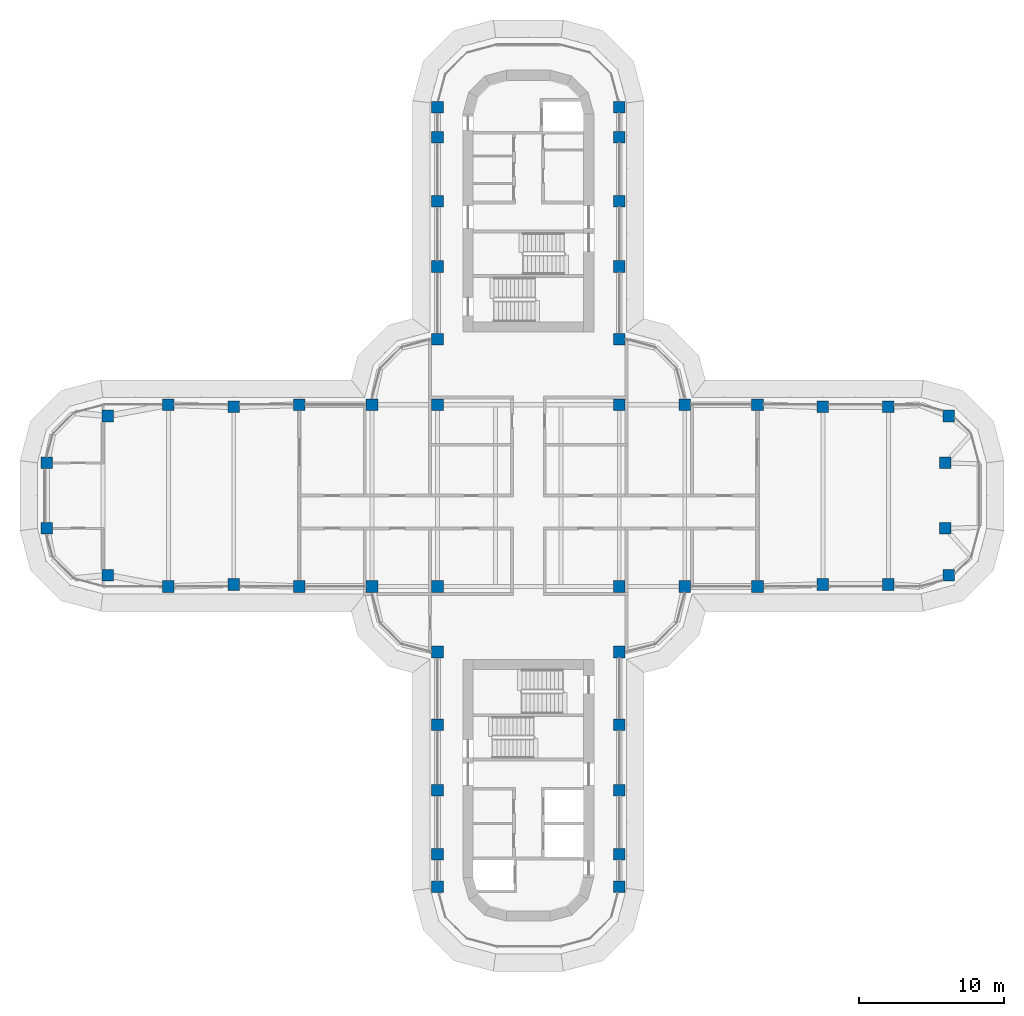
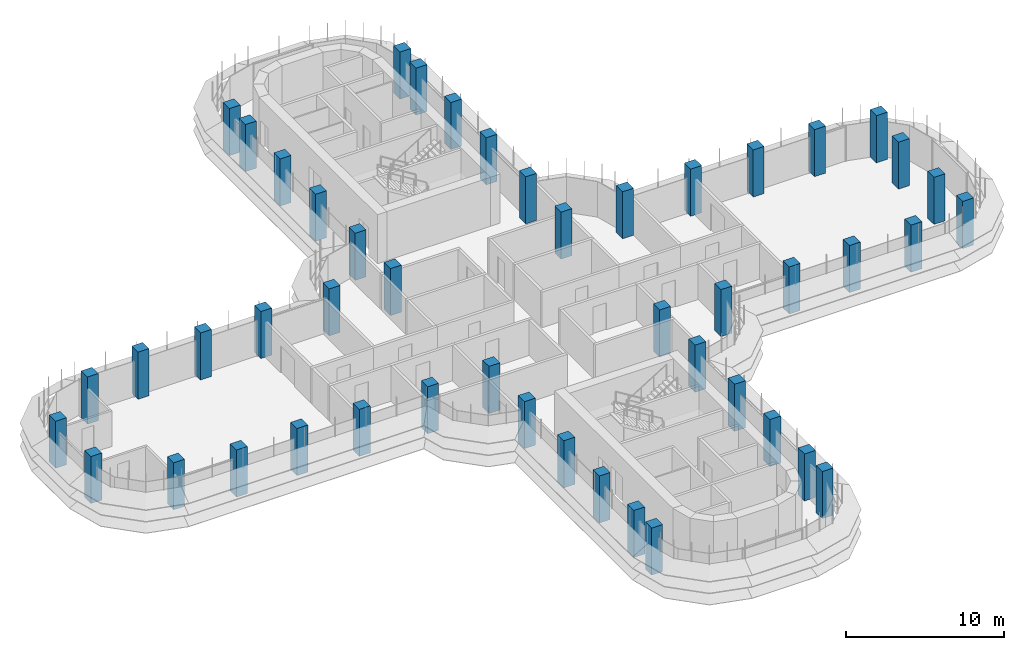
# One storey, part 1 of 19: 48 columns.
"""IFC4 building model written with IfcOpenShell, lengths in metres."""

from ifc_helpers import new_model, si_unit, direction, frame, origin, origin_2d, place, context, subcontext, project, spatial, rectangle, extrude, material, material_profile, profile_set, type_object, element, save


model = new_model("IFC4")

# Units and contexts
model_context = context("Model", 3, precision=1e-05, world=origin(), true_north=direction((0.0, 1.0)))
body_context = subcontext(model_context, "Body", "Model", "MODEL_VIEW")
ifc_project = project(units=[si_unit("LENGTHUNIT", "METRE"), si_unit("AREAUNIT", "SQUARE_METRE"), si_unit("VOLUMEUNIT", "CUBIC_METRE"), si_unit("PLANEANGLEUNIT", "RADIAN"), si_unit("MASSUNIT", "GRAM", prefix="KILO")], contexts=[model_context])

# Site, building, storey
site_placement = place(None, origin())
site = spatial("IfcSite", under=ifc_project, at=site_placement, CompositionType="ELEMENT")
building_placement = place(site_placement, origin())
building = spatial("IfcBuilding", under=site, at=building_placement, Name="Zarbagh Exchange Tower", CompositionType="ELEMENT")
storey_placement = place(building_placement, frame((0.0, 0.0, 167.60009765625)))
storey = spatial("IfcBuildingStorey", under=building, at=storey_placement, Name="L40", CompositionType="ELEMENT", Elevation=167.60009765625)

# Columns
ifc_material = material(Name="Concrete C50/60", Category="concrete")
ifc_material_profile = material_profile(ifc_material, rectangle(XDim=0.800048828125, YDim=0.800048828125, at=origin_2d()), Name="RC column 800 x 800 C50/60")
ifc_profile_set = profile_set([ifc_material_profile], Name="Concrete C50/60")
column_type = type_object("IfcColumnType", Name="RC column 800 x 800 C50/60", PredefinedType="COLUMN", material=ifc_profile_set)
for number, where, z_axis, x_axis, name in (
    (1, (-33.110107421875, -2.25, 0.0), (0.0, 0.0, 1.0), (1.0, 0.0, 0.0), "C4 10/S"),
    (2, (-33.110107421875, 2.25, 0.0), (0.0, 0.0, 1.0), (1.0, 0.0, 0.0), "C4 10/T"),
    (3, (-28.907958984375, -5.47509765625, 0.0), (0.0, 0.0, 1.0), (1.0, 0.0, 0.0), "C4 11/R"),
    (4, (-28.907958984375, 5.47509765625, 0.0), (0.0, 0.0, 1.0), (1.0, 0.0, 0.0), "C4 11/U"),
    (5, (-24.75, -6.25, 0.0), (0.0, 0.0, 1.0), (1.0, 0.0, 0.0), "C4 12/R"),
    (6, (-24.75, 6.25, 0.0), (0.0, 0.0, 1.0), (1.0, 0.0, 0.0), "C4 12/U"),
    (7, (-20.25, -6.110107421875, 0.0), (0.0, 0.0, 1.0), (1.0, 0.0, 0.0), "C4 13/R"),
    (8, (-20.25, 6.110107421875, 0.0), (0.0, 0.0, 1.0), (1.0, 0.0, 0.0), "C4 13/U"),
    (9, (-15.75, -6.25, 0.0), (0.0, 0.0, 1.0), (1.0, 0.0, 0.0), "C4 14/R"),
    (10, (-15.75, 6.25, 0.0), (0.0, 0.0, 1.0), (1.0, 0.0, 0.0), "C4 14/U"),
    (11, (-10.75, -6.25, 0.0), (0.0, 0.0, 1.0), (1.0, 0.0, 0.0), "C4 15/R"),
    (12, (-10.75, 6.25, 0.0), (0.0, 0.0, 1.0), (1.0, 0.0, 0.0), "C4 15/U"),
    (13, (-6.25, -26.89990234375, 0.0), (0.0, 0.0, 1.0), (1.0, 0.0, 0.0), "C4 16/L"),
    (14, (-6.25, -24.64990234375, 0.0), (0.0, 0.0, 1.0), (1.0, 0.0, 0.0), "C4 16/M"),
    (15, (-6.25, -20.25, 0.0), (0.0, 0.0, 1.0), (1.0, 0.0, 0.0), "C4 16/N"),
    (16, (-6.25, -15.75, 0.0), (0.0, 0.0, 1.0), (1.0, 0.0, 0.0), "C4 16/P"),
    (17, (-6.25, -10.75, 0.0), (0.0, 0.0, 1.0), (1.0, 0.0, 0.0), "C4 16/Q"),
    (18, (-6.25, -6.25, 0.0), (0.0, 0.0, 1.0), (1.0, 0.0, 0.0), "C4 16/R"),
    (19, (-6.25, 6.25, 0.0), (0.0, 0.0, 1.0), (1.0, 0.0, 0.0), "C4 16/U"),
    (20, (-6.25, 10.75, 0.0), (0.0, 0.0, 1.0), (1.0, 0.0, 0.0), "C4 16/V"),
    (21, (-6.25, 15.75, 0.0), (0.0, 0.0, 1.0), (1.0, 0.0, 0.0), "C4 16/W"),
    (22, (-6.25, 20.25, 0.0), (0.0, 0.0, 1.0), (1.0, 0.0, 0.0), "C4 16/X"),
    (23, (-6.25, 24.64990234375, 0.0), (0.0, 0.0, 1.0), (1.0, 0.0, 0.0), "C4 16/Y"),
    (24, (-6.25, 26.699951171875, 0.0), (0.0, 0.0, 1.0), (1.0, 0.0, 0.0), "C4 16/Z"),
    (25, (6.25, -26.89990234375, 0.0), (0.0, 0.0, 1.0), (1.0, 0.0, 0.0), "C4 19/L"),
    (26, (6.25, -24.64990234375, 0.0), (0.0, 0.0, 1.0), (1.0, 0.0, 0.0), "C4 19/M"),
    (27, (6.25, -20.25, 0.0), (0.0, 0.0, 1.0), (1.0, 0.0, 0.0), "C4 19/N"),
    (28, (6.25, -15.75, 0.0), (0.0, 0.0, 1.0), (1.0, 0.0, 0.0), "C4 19/P"),
    (29, (6.25, -10.75, 0.0), (0.0, 0.0, 1.0), (1.0, 0.0, 0.0), "C4 19/Q"),
    (30, (6.25, -6.25, 0.0), (0.0, 0.0, 1.0), (1.0, 0.0, 0.0), "C4 19/R"),
    (31, (6.25, 6.25, 0.0), (0.0, 0.0, 1.0), (1.0, 0.0, 0.0), "C4 19/U"),
    (32, (6.25, 10.75, 0.0), (0.0, 0.0, 1.0), (1.0, 0.0, 0.0), "C4 19/V"),
    (33, (6.25, 15.75, 0.0), (0.0, 0.0, 1.0), (1.0, 0.0, 0.0), "C4 19/W"),
    (34, (6.25, 20.25, 0.0), (0.0, 0.0, 1.0), (1.0, 0.0, 0.0), "C4 19/X"),
    (35, (6.25, 24.64990234375, 0.0), (0.0, 0.0, 1.0), (1.0, 0.0, 0.0), "C4 19/Y"),
    (36, (6.25, 26.699951171875, 0.0), (0.0, 0.0, 1.0), (1.0, 0.0, 0.0), "C4 19/Z"),
    (37, (10.75, -6.25, 0.0), (0.0, 0.0, 1.0), (1.0, 0.0, 0.0), "C4 20/R"),
    (38, (10.75, 6.25, 0.0), (0.0, 0.0, 1.0), (1.0, 0.0, 0.0), "C4 20/U"),
    (39, (15.75, -6.25, 0.0), (0.0, 0.0, 1.0), (1.0, 0.0, 0.0), "C4 21/R"),
    (40, (15.75, 6.25, 0.0), (0.0, 0.0, 1.0), (1.0, 0.0, 0.0), "C4 21/U"),
    (41, (20.25, -6.110107421875, 0.0), (0.0, 0.0, 1.0), (1.0, 0.0, 0.0), "C4 22/R"),
    (42, (20.25, 6.110107421875, 0.0), (0.0, 0.0, 1.0), (1.0, 0.0, 0.0), "C4 22/U"),
    (43, (24.75, -6.110107421875, 0.0), (0.0, 0.0, 1.0), (1.0, 0.0, 0.0), "C4 23/R"),
    (44, (24.75, 6.110107421875, 0.0), (0.0, 0.0, 1.0), (1.0, 0.0, 0.0), "C4 23/U"),
    (45, (28.907958984375, -5.47509765625, 0.0), (0.0, 0.0, 1.0), (1.0, 0.0, 0.0), "C4 24/R"),
    (46, (28.669921875, -2.25, 0.0), (0.0, 0.0, 1.0), (1.0, 0.0, 0.0), "C4 24/S"),
    (47, (28.669921875, 2.25, 0.0), (0.0, 0.0, 1.0), (1.0, 0.0, 0.0), "C4 24/T"),
    (48, (28.907958984375, 5.47509765625, 0.0), (0.0, 0.0, 1.0), (1.0, 0.0, 0.0), "C4 24/U"),
):
    element("IfcColumn", number, at=place(storey_placement, frame(where, z_axis=z_axis, x_axis=x_axis)), inside=storey, type_object=column_type, Name=name, PredefinedType="COLUMN", context=body_context, shape_type="SweptSolid", body=[
        extrude(rectangle(XDim=0.800048828125, YDim=0.800048828125, at=origin_2d()), origin(), (0.0, 0.0, 1.0), 3.64990234375),
    ])

save(model, "model.ifc")
